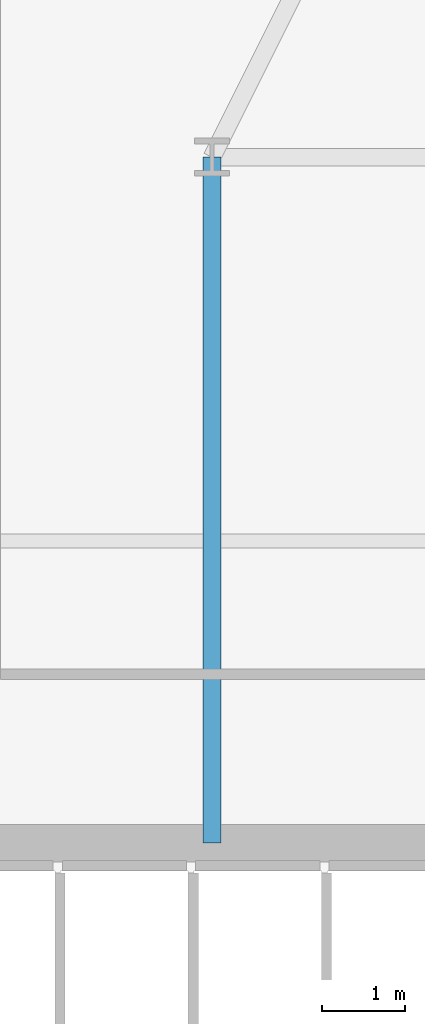
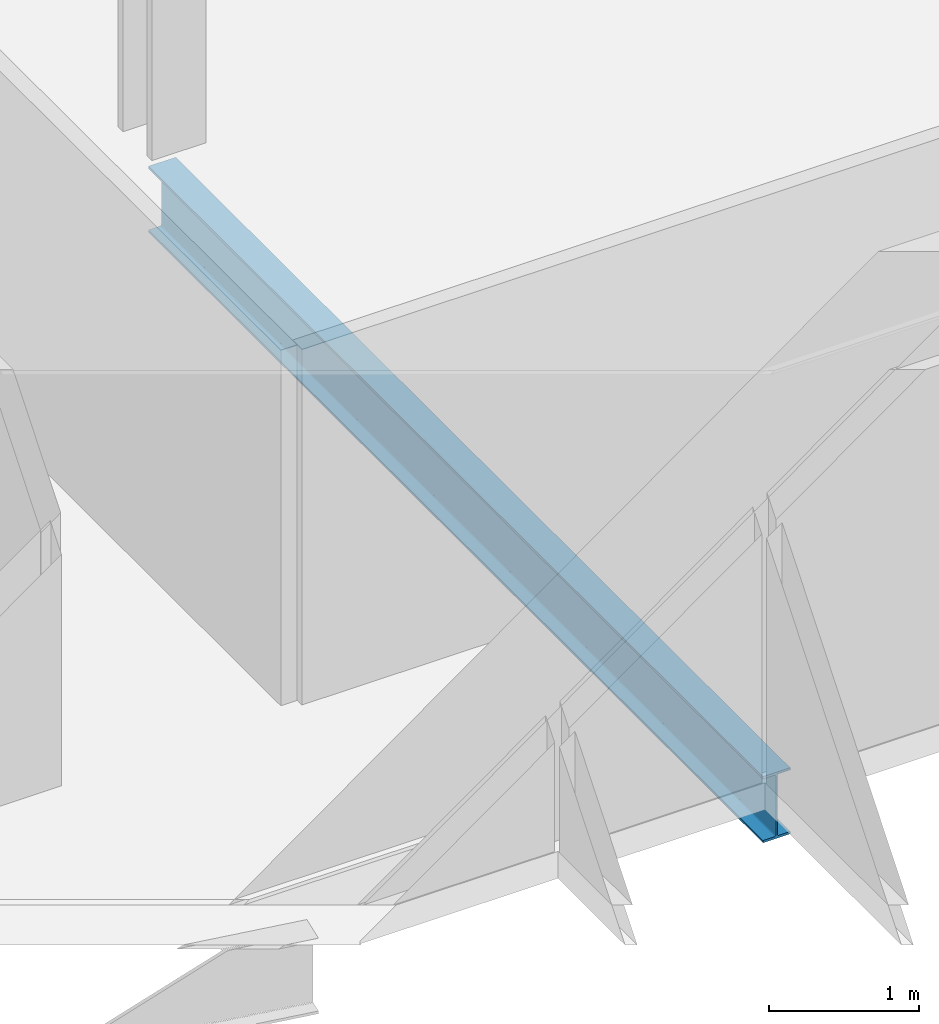
# One storey, part 5 of 33: 1 beam.
"""IFC4 building model written with IfcOpenShell, lengths in metres."""

from ifc_helpers import new_model, si_unit, direction, frame, origin, origin_2d, place, context, subcontext, project, spatial, i_section, extrude, material, material_profile, profile_set, type_object, element, save


model = new_model("IFC4")

# Units and contexts
model_context = context("Model", 3, precision=1e-05, world=origin(), true_north=direction((0.0, 1.0)))
body_context = subcontext(model_context, "Body", "Model", "MODEL_VIEW")
ifc_project = project(units=[si_unit("LENGTHUNIT", "METRE"), si_unit("AREAUNIT", "SQUARE_METRE"), si_unit("VOLUMEUNIT", "CUBIC_METRE"), si_unit("PLANEANGLEUNIT", "RADIAN"), si_unit("MASSUNIT", "GRAM", prefix="KILO")], contexts=[model_context])

# Site, building, storey
site_placement = place(None, origin())
site = spatial("IfcSite", under=ifc_project, at=site_placement, CompositionType="ELEMENT")
building_placement = place(site_placement, origin())
building = spatial("IfcBuilding", under=site, at=building_placement, Name="Ndaravel Arena Tower", CompositionType="ELEMENT")
storey_placement = place(building_placement, frame((0.0, 0.0, 39.800048828125)))
storey = spatial("IfcBuildingStorey", under=building, at=storey_placement, Name="L07", CompositionType="ELEMENT", Elevation=39.800048828125)

# Beam
ifc_material = material(Name="Steel S355", Category="steel")
ifc_material_profile = material_profile(ifc_material, i_section(OverallWidth=0.210693359375, OverallDepth=0.53955078125, WebThickness=0.01171875, FlangeThickness=0.018798828125, FilletRadius=0.0126953125, at=origin_2d()), Name="UB 533x210x109")
ifc_profile_set = profile_set([ifc_material_profile], Name="Steel S355")
beam_type = type_object("IfcBeamType", Name="BM-GIRD-UB533", PredefinedType="BEAM", material=ifc_profile_set)
beam_placement = place(storey_placement, frame((34.199951171875, 14.97998046875, -0.48974609375), z_axis=(0.0, 1.0, 0.0), x_axis=(-1.0, 0.0, 0.0)))
element("IfcBeam", 1, at=beam_placement, inside=storey, type_object=beam_type, Name="L07 Spine Link Girder SLG-01", PredefinedType="BEAM", context=body_context, shape_type="SweptSolid", body=[
    extrude(i_section(OverallWidth=0.210693359375, OverallDepth=0.53955078125, WebThickness=0.01171875, FlangeThickness=0.018798828125, FilletRadius=0.0126953125, at=origin_2d()), origin(), (0.0, 0.0, 1.0), 8.219970703125),
])

save(model, "model.ifc")
